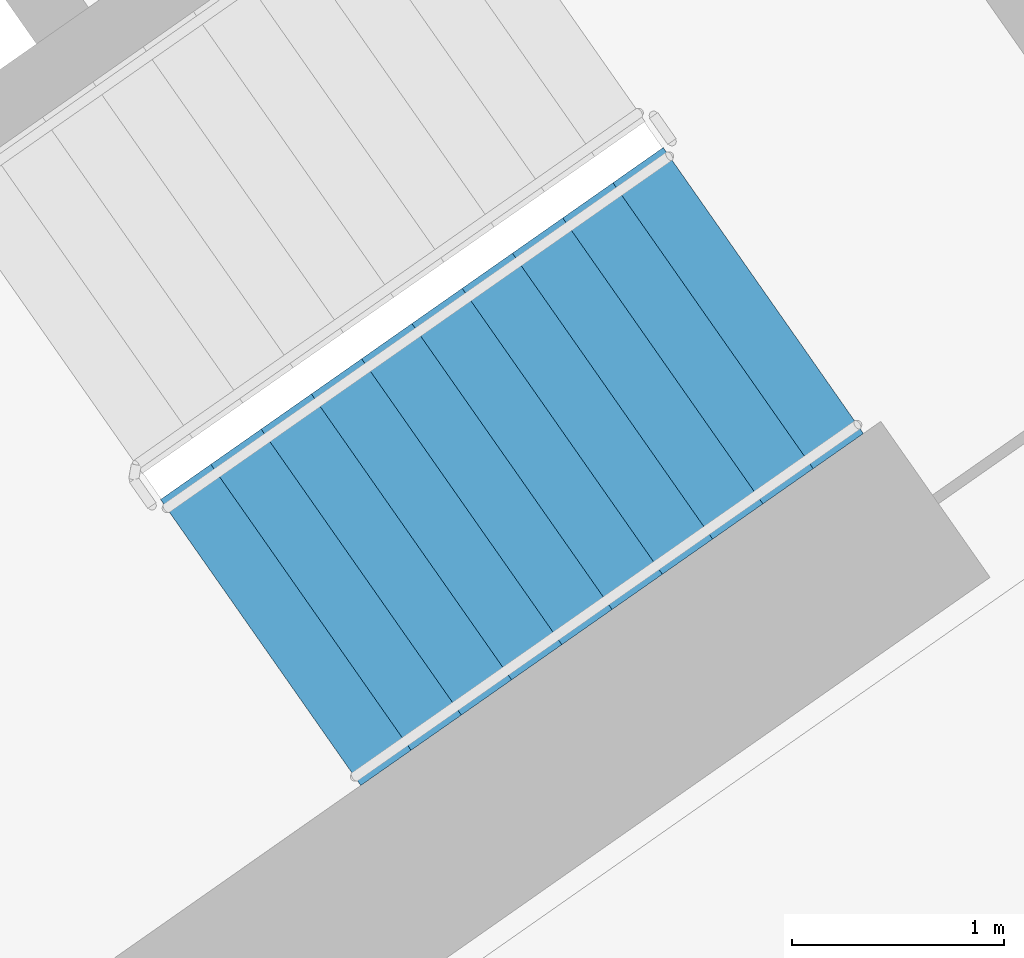
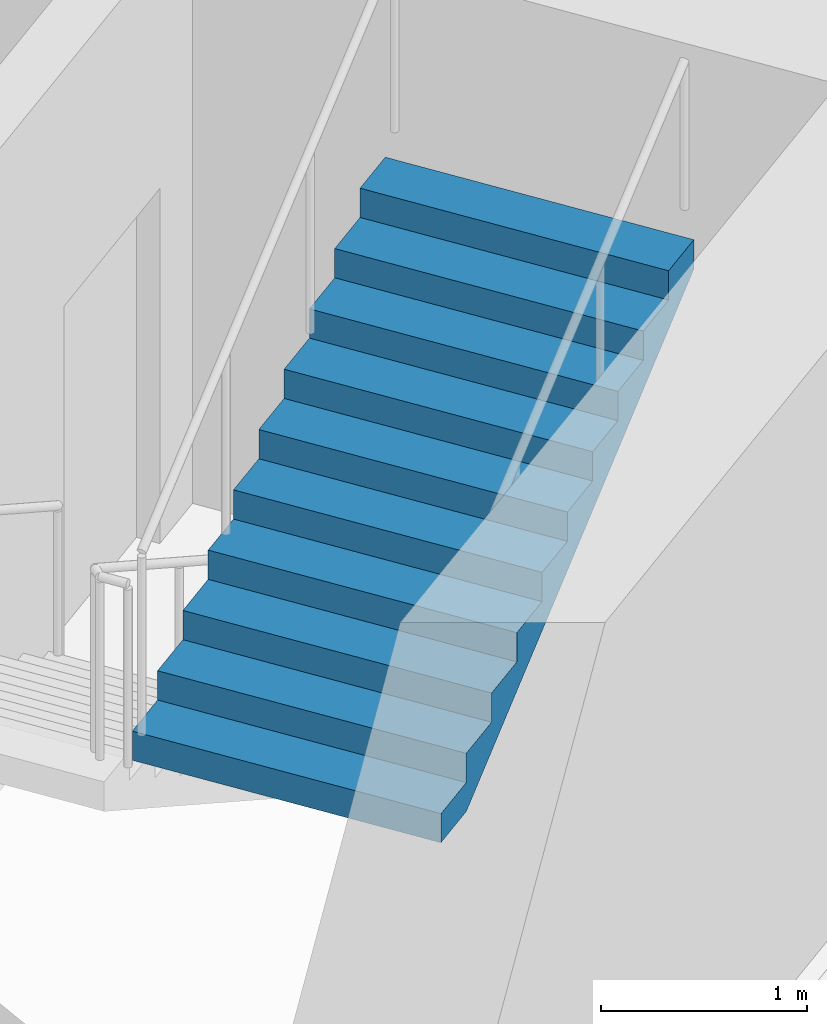
# One storey, part 17 of 31: 1 stair flight, 1 element without a shape of its own.
"""IFC4 building model written with IfcOpenShell, lengths in metres."""

from ifc_helpers import new_model, si_unit, direction, frame, origin, place, context, subcontext, project, spatial, faceted_brep, material, type_object, element, aggregate, save


model = new_model("IFC4")

# Units and contexts
model_context = context("Model", 3, precision=1e-05, world=origin(), true_north=direction((0.0, 1.0)))
body_context = subcontext(model_context, "Body", "Model", "MODEL_VIEW")
ifc_project = project(units=[si_unit("LENGTHUNIT", "METRE"), si_unit("AREAUNIT", "SQUARE_METRE"), si_unit("VOLUMEUNIT", "CUBIC_METRE"), si_unit("PLANEANGLEUNIT", "RADIAN"), si_unit("MASSUNIT", "GRAM", prefix="KILO")], contexts=[model_context])

# Site, building, storey
site_placement = place(None, origin())
site = spatial("IfcSite", under=ifc_project, at=site_placement, CompositionType="ELEMENT")
building_placement = place(site_placement, origin())
building = spatial("IfcBuilding", under=site, at=building_placement, Name="Qamariyya Broadcast Tower", CompositionType="ELEMENT")
storey_placement = place(building_placement, frame((0.0, 0.0, 74.699951171875)))
storey = spatial("IfcBuildingStorey", under=building, at=storey_placement, Name="L15", CompositionType="ELEMENT", Elevation=74.699951171875)

# Stair, stair flight
ifc_material = material(Name="Concrete C50/60", Category="concrete")
stair_type = type_object("IfcStairType", Name="Exit stair 22 risers of 173 mm", PredefinedType="HALF_TURN_STAIR", material=ifc_material)
stair_placement = place(storey_placement, origin())
stair = element("IfcStair", 1, at=stair_placement, inside=storey, type_object=stair_type, Name="L15 Stair E1", PredefinedType="HALF_TURN_STAIR")
stair_flight_type = type_object("IfcStairFlightType", Name="Exit stair flight 11 risers of 173 mm", PredefinedType="STRAIGHT", material=ifc_material)
stair_flight_placement = place(storey_placement, frame((44.693359375, -58.64599609375, 1.900146484375), z_axis=(0.0, 0.0, 1.0), x_axis=(0.819152044289, 0.573576436351, 0.0)))
stair_flight = element("IfcStairFlight", 2, at=stair_flight_placement, type_object=stair_flight_type, Name="ST-E1 flight 2", NumberOfRisers=11, NumberOfTreads=10, PredefinedType="STRAIGHT", RiserHeight=0.172727273, TreadLength=0.29, context=body_context, shape_type="Brep", body=[
    faceted_brep([(0.0, 0.824951171875, 0.0), (0.0, 0.824951171875, 0.172607421875), (0.2900390625, 0.824951171875, 0.172607421875), (0.2900390625, 0.824951171875, 0.345458984375), (0.580078125, 0.824951171875, 0.345458984375), (0.580078125, 0.824951171875, 0.51806640625), (0.8701171875, 0.824951171875, 0.51806640625), (0.8701171875, 0.824951171875, 0.69091796875), (1.159912109375, 0.824951171875, 0.69091796875), (1.159912109375, 0.824951171875, 0.863525390625), (1.449951171875, 0.824951171875, 0.863525390625), (1.449951171875, 0.824951171875, 1.036376953125), (1.739990234375, 0.824951171875, 1.036376953125), (1.739990234375, 0.824951171875, 1.208984375), (2.030029296875, 0.824951171875, 1.208984375), (2.030029296875, 0.824951171875, 1.3818359375), (2.320068359375, 0.824951171875, 1.3818359375), (2.320068359375, 0.824951171875, 1.554443359375), (2.610107421875, 0.824951171875, 1.554443359375), (2.610107421875, 0.824951171875, 1.727294921875), (2.89990234375, 0.824951171875, 1.727294921875), (2.89990234375, 0.824951171875, 1.552734375), (0.29296875, 0.824951171875, 0.0), (0.29296875, -0.824951171875, 0.0), (2.89990234375, -0.824951171875, 1.552734375), (2.89990234375, -0.824951171875, 1.727294921875), (2.610107421875, -0.824951171875, 1.727294921875), (2.610107421875, -0.824951171875, 1.554443359375), (2.320068359375, -0.824951171875, 1.554443359375), (2.320068359375, -0.824951171875, 1.3818359375), (2.030029296875, -0.824951171875, 1.3818359375), (2.030029296875, -0.824951171875, 1.208984375), (1.739990234375, -0.824951171875, 1.208984375), (1.739990234375, -0.824951171875, 1.036376953125), (1.449951171875, -0.824951171875, 1.036376953125), (1.449951171875, -0.824951171875, 0.863525390625), (1.159912109375, -0.824951171875, 0.863525390625), (1.159912109375, -0.824951171875, 0.69091796875), (0.8701171875, -0.824951171875, 0.69091796875), (0.8701171875, -0.824951171875, 0.51806640625), (0.580078125, -0.824951171875, 0.51806640625), (0.580078125, -0.824951171875, 0.345458984375), (0.2900390625, -0.824951171875, 0.345458984375), (0.2900390625, -0.824951171875, 0.172607421875), (0.0, -0.824951171875, 0.172607421875), (0.0, -0.824951171875, 0.0), (0.0, 0.10009765625, 0.0), (0.0, 0.086669921875, 0.0), (0.0, 0.0732421875, 0.0), (0.0, 0.06005859375, 0.0), (0.0, 0.046630859375, 0.0), (0.0, 0.033447265625, 0.0), (0.0, 0.02001953125, 0.0), (0.0, 0.006591796875, 0.0), (0.0, -0.006591796875, 0.0), (0.0, -0.02001953125, 0.0), (0.0, -0.033447265625, 0.0), (0.0, -0.046630859375, 0.0), (0.0, -0.06005859375, 0.0), (0.0, -0.0732421875, 0.0), (0.0, -0.086669921875, 0.0), (0.0, -0.10009765625, 0.0), (0.0, -0.10009765625, 0.172607421875), (0.0, -0.086669921875, 0.172607421875), (0.0, -0.0732421875, 0.172607421875), (0.0, -0.06005859375, 0.172607421875), (0.0, -0.046630859375, 0.172607421875), (0.0, -0.033447265625, 0.172607421875), (0.0, -0.02001953125, 0.172607421875), (0.0, -0.006591796875, 0.172607421875), (0.0, 0.006591796875, 0.172607421875), (0.0, 0.02001953125, 0.172607421875), (0.0, 0.033447265625, 0.172607421875), (0.0, 0.046630859375, 0.172607421875), (0.0, 0.06005859375, 0.172607421875), (0.0, 0.0732421875, 0.172607421875), (0.0, 0.086669921875, 0.172607421875), (0.0, 0.10009765625, 0.172607421875), (0.2900390625, -0.10009765625, 0.172607421875), (0.2900390625, -0.086669921875, 0.172607421875), (0.2900390625, -0.0732421875, 0.172607421875), (0.2900390625, -0.06005859375, 0.172607421875), (0.2900390625, -0.046630859375, 0.172607421875), (0.2900390625, -0.033447265625, 0.172607421875), (0.2900390625, -0.02001953125, 0.172607421875), (0.2900390625, -0.006591796875, 0.172607421875), (0.2900390625, 0.006591796875, 0.172607421875), (0.2900390625, 0.02001953125, 0.172607421875), (0.2900390625, 0.033447265625, 0.172607421875), (0.2900390625, 0.046630859375, 0.172607421875), (0.2900390625, 0.06005859375, 0.172607421875), (0.2900390625, 0.0732421875, 0.172607421875), (0.2900390625, 0.086669921875, 0.172607421875), (0.2900390625, 0.10009765625, 0.172607421875), (0.2900390625, -0.10009765625, 0.345458984375), (0.2900390625, -0.086669921875, 0.345458984375), (0.2900390625, -0.0732421875, 0.345458984375), (0.2900390625, -0.06005859375, 0.345458984375), (0.2900390625, -0.046630859375, 0.345458984375), (0.2900390625, -0.033447265625, 0.345458984375), (0.2900390625, -0.02001953125, 0.345458984375), (0.2900390625, -0.006591796875, 0.345458984375), (0.2900390625, 0.006591796875, 0.345458984375), (0.2900390625, 0.02001953125, 0.345458984375), (0.2900390625, 0.033447265625, 0.345458984375), (0.2900390625, 0.046630859375, 0.345458984375), (0.2900390625, 0.06005859375, 0.345458984375), (0.2900390625, 0.0732421875, 0.345458984375), (0.2900390625, 0.086669921875, 0.345458984375), (0.2900390625, 0.10009765625, 0.345458984375), (0.580078125, -0.10009765625, 0.345458984375), (0.580078125, -0.086669921875, 0.345458984375), (0.580078125, -0.0732421875, 0.345458984375), (0.580078125, -0.06005859375, 0.345458984375), (0.580078125, -0.046630859375, 0.345458984375), (0.580078125, -0.033447265625, 0.345458984375), (0.580078125, -0.02001953125, 0.345458984375), (0.580078125, -0.006591796875, 0.345458984375), (0.580078125, 0.006591796875, 0.345458984375), (0.580078125, 0.02001953125, 0.345458984375), (0.580078125, 0.033447265625, 0.345458984375), (0.580078125, 0.046630859375, 0.345458984375), (0.580078125, 0.06005859375, 0.345458984375), (0.580078125, 0.0732421875, 0.345458984375), (0.580078125, 0.086669921875, 0.345458984375), (0.580078125, 0.10009765625, 0.345458984375), (0.580078125, -0.10009765625, 0.51806640625), (0.580078125, -0.086669921875, 0.51806640625), (0.580078125, -0.0732421875, 0.51806640625), (0.580078125, -0.06005859375, 0.51806640625), (0.580078125, -0.046630859375, 0.51806640625), (0.580078125, -0.033447265625, 0.51806640625), (0.580078125, -0.02001953125, 0.51806640625), (0.580078125, -0.006591796875, 0.51806640625), (0.580078125, 0.006591796875, 0.51806640625), (0.580078125, 0.02001953125, 0.51806640625), (0.580078125, 0.033447265625, 0.51806640625), (0.580078125, 0.046630859375, 0.51806640625), (0.580078125, 0.06005859375, 0.51806640625), (0.580078125, 0.0732421875, 0.51806640625), (0.580078125, 0.086669921875, 0.51806640625), (0.580078125, 0.10009765625, 0.51806640625), (0.8701171875, -0.10009765625, 0.51806640625), (0.8701171875, -0.086669921875, 0.51806640625), (0.8701171875, -0.0732421875, 0.51806640625), (0.8701171875, -0.06005859375, 0.51806640625), (0.8701171875, -0.046630859375, 0.51806640625), (0.8701171875, -0.033447265625, 0.51806640625), (0.8701171875, -0.02001953125, 0.51806640625), (0.8701171875, -0.006591796875, 0.51806640625), (0.8701171875, 0.006591796875, 0.51806640625), (0.8701171875, 0.02001953125, 0.51806640625), (0.8701171875, 0.033447265625, 0.51806640625), (0.8701171875, 0.046630859375, 0.51806640625), (0.8701171875, 0.06005859375, 0.51806640625), (0.8701171875, 0.0732421875, 0.51806640625), (0.8701171875, 0.086669921875, 0.51806640625), (0.8701171875, 0.10009765625, 0.51806640625), (0.8701171875, -0.10009765625, 0.69091796875), (0.8701171875, -0.086669921875, 0.69091796875), (0.8701171875, -0.0732421875, 0.69091796875), (0.8701171875, -0.06005859375, 0.69091796875), (0.8701171875, -0.046630859375, 0.69091796875), (0.8701171875, -0.033447265625, 0.69091796875), (0.8701171875, -0.02001953125, 0.69091796875), (0.8701171875, -0.006591796875, 0.69091796875), (0.8701171875, 0.006591796875, 0.69091796875), (0.8701171875, 0.02001953125, 0.69091796875), (0.8701171875, 0.033447265625, 0.69091796875), (0.8701171875, 0.046630859375, 0.69091796875), (0.8701171875, 0.06005859375, 0.69091796875), (0.8701171875, 0.0732421875, 0.69091796875), (0.8701171875, 0.086669921875, 0.69091796875), (0.8701171875, 0.10009765625, 0.69091796875), (1.159912109375, -0.10009765625, 0.69091796875), (1.159912109375, -0.086669921875, 0.69091796875), (1.159912109375, -0.0732421875, 0.69091796875), (1.159912109375, -0.06005859375, 0.69091796875), (1.159912109375, -0.046630859375, 0.69091796875), (1.159912109375, -0.033447265625, 0.69091796875), (1.159912109375, -0.02001953125, 0.69091796875), (1.159912109375, -0.006591796875, 0.69091796875), (1.159912109375, 0.006591796875, 0.69091796875), (1.159912109375, 0.02001953125, 0.69091796875), (1.159912109375, 0.033447265625, 0.69091796875), (1.159912109375, 0.046630859375, 0.69091796875), (1.159912109375, 0.06005859375, 0.69091796875), (1.159912109375, 0.0732421875, 0.69091796875), (1.159912109375, 0.086669921875, 0.69091796875), (1.159912109375, 0.10009765625, 0.69091796875), (1.159912109375, -0.10009765625, 0.863525390625), (1.159912109375, -0.086669921875, 0.863525390625), (1.159912109375, -0.0732421875, 0.863525390625), (1.159912109375, -0.06005859375, 0.863525390625), (1.159912109375, -0.046630859375, 0.863525390625), (1.159912109375, -0.033447265625, 0.863525390625), (1.159912109375, -0.02001953125, 0.863525390625), (1.159912109375, -0.006591796875, 0.863525390625), (1.159912109375, 0.006591796875, 0.863525390625), (1.159912109375, 0.02001953125, 0.863525390625), (1.159912109375, 0.033447265625, 0.863525390625), (1.159912109375, 0.046630859375, 0.863525390625), (1.159912109375, 0.06005859375, 0.863525390625), (1.159912109375, 0.0732421875, 0.863525390625), (1.159912109375, 0.086669921875, 0.863525390625), (1.159912109375, 0.10009765625, 0.863525390625), (1.449951171875, -0.10009765625, 0.863525390625), (1.449951171875, -0.086669921875, 0.863525390625), (1.449951171875, -0.0732421875, 0.863525390625), (1.449951171875, -0.06005859375, 0.863525390625), (1.449951171875, -0.046630859375, 0.863525390625), (1.449951171875, -0.033447265625, 0.863525390625), (1.449951171875, -0.02001953125, 0.863525390625), (1.449951171875, -0.006591796875, 0.863525390625), (1.449951171875, 0.006591796875, 0.863525390625), (1.449951171875, 0.02001953125, 0.863525390625), (1.449951171875, 0.033447265625, 0.863525390625), (1.449951171875, 0.046630859375, 0.863525390625), (1.449951171875, 0.06005859375, 0.863525390625), (1.449951171875, 0.0732421875, 0.863525390625), (1.449951171875, 0.086669921875, 0.863525390625), (1.449951171875, 0.10009765625, 0.863525390625), (1.449951171875, -0.10009765625, 1.036376953125), (1.449951171875, -0.086669921875, 1.036376953125), (1.449951171875, -0.0732421875, 1.036376953125), (1.449951171875, -0.06005859375, 1.036376953125), (1.449951171875, -0.046630859375, 1.036376953125), (1.449951171875, -0.033447265625, 1.036376953125), (1.449951171875, -0.02001953125, 1.036376953125), (1.449951171875, -0.006591796875, 1.036376953125), (1.449951171875, 0.006591796875, 1.036376953125), (1.449951171875, 0.02001953125, 1.036376953125), (1.449951171875, 0.033447265625, 1.036376953125), (1.449951171875, 0.046630859375, 1.036376953125), (1.449951171875, 0.06005859375, 1.036376953125), (1.449951171875, 0.0732421875, 1.036376953125), (1.449951171875, 0.086669921875, 1.036376953125), (1.449951171875, 0.10009765625, 1.036376953125), (1.739990234375, -0.10009765625, 1.036376953125), (1.739990234375, -0.086669921875, 1.036376953125), (1.739990234375, -0.0732421875, 1.036376953125), (1.739990234375, -0.06005859375, 1.036376953125), (1.739990234375, -0.046630859375, 1.036376953125), (1.739990234375, -0.033447265625, 1.036376953125), (1.739990234375, -0.02001953125, 1.036376953125), (1.739990234375, -0.006591796875, 1.036376953125), (1.739990234375, 0.006591796875, 1.036376953125), (1.739990234375, 0.02001953125, 1.036376953125), (1.739990234375, 0.033447265625, 1.036376953125), (1.739990234375, 0.046630859375, 1.036376953125), (1.739990234375, 0.06005859375, 1.036376953125), (1.739990234375, 0.0732421875, 1.036376953125), (1.739990234375, 0.086669921875, 1.036376953125), (1.739990234375, 0.10009765625, 1.036376953125), (1.739990234375, -0.10009765625, 1.208984375), (1.739990234375, -0.086669921875, 1.208984375), (1.739990234375, -0.0732421875, 1.208984375), (1.739990234375, -0.06005859375, 1.208984375), (1.739990234375, -0.046630859375, 1.208984375), (1.739990234375, -0.033447265625, 1.208984375), (1.739990234375, -0.02001953125, 1.208984375), (1.739990234375, -0.006591796875, 1.208984375), (1.739990234375, 0.006591796875, 1.208984375), (1.739990234375, 0.02001953125, 1.208984375), (1.739990234375, 0.033447265625, 1.208984375), (1.739990234375, 0.046630859375, 1.208984375), (1.739990234375, 0.06005859375, 1.208984375), (1.739990234375, 0.0732421875, 1.208984375), (1.739990234375, 0.086669921875, 1.208984375), (1.739990234375, 0.10009765625, 1.208984375), (2.030029296875, -0.10009765625, 1.208984375), (2.030029296875, -0.086669921875, 1.208984375), (2.030029296875, -0.0732421875, 1.208984375), (2.030029296875, -0.06005859375, 1.208984375), (2.030029296875, -0.046630859375, 1.208984375), (2.030029296875, -0.033447265625, 1.208984375), (2.030029296875, -0.02001953125, 1.208984375), (2.030029296875, -0.006591796875, 1.208984375), (2.030029296875, 0.006591796875, 1.208984375), (2.030029296875, 0.02001953125, 1.208984375), (2.030029296875, 0.033447265625, 1.208984375), (2.030029296875, 0.046630859375, 1.208984375), (2.030029296875, 0.06005859375, 1.208984375), (2.030029296875, 0.0732421875, 1.208984375), (2.030029296875, 0.086669921875, 1.208984375), (2.030029296875, 0.10009765625, 1.208984375), (2.030029296875, -0.10009765625, 1.3818359375), (2.030029296875, -0.086669921875, 1.3818359375), (2.030029296875, -0.0732421875, 1.3818359375), (2.030029296875, -0.06005859375, 1.3818359375), (2.030029296875, -0.046630859375, 1.3818359375), (2.030029296875, -0.033447265625, 1.3818359375), (2.030029296875, -0.02001953125, 1.3818359375), (2.030029296875, -0.006591796875, 1.3818359375), (2.030029296875, 0.006591796875, 1.3818359375), (2.030029296875, 0.02001953125, 1.3818359375), (2.030029296875, 0.033447265625, 1.3818359375), (2.030029296875, 0.046630859375, 1.3818359375), (2.030029296875, 0.06005859375, 1.3818359375), (2.030029296875, 0.0732421875, 1.3818359375), (2.030029296875, 0.086669921875, 1.3818359375), (2.030029296875, 0.10009765625, 1.3818359375), (2.320068359375, -0.10009765625, 1.3818359375), (2.320068359375, -0.086669921875, 1.3818359375), (2.320068359375, -0.0732421875, 1.3818359375), (2.320068359375, -0.06005859375, 1.3818359375), (2.320068359375, -0.046630859375, 1.3818359375), (2.320068359375, -0.033447265625, 1.3818359375), (2.320068359375, -0.02001953125, 1.3818359375), (2.320068359375, -0.006591796875, 1.3818359375), (2.320068359375, 0.006591796875, 1.3818359375), (2.320068359375, 0.02001953125, 1.3818359375), (2.320068359375, 0.033447265625, 1.3818359375), (2.320068359375, 0.046630859375, 1.3818359375), (2.320068359375, 0.06005859375, 1.3818359375), (2.320068359375, 0.0732421875, 1.3818359375), (2.320068359375, 0.086669921875, 1.3818359375), (2.320068359375, 0.10009765625, 1.3818359375), (2.320068359375, -0.10009765625, 1.554443359375), (2.320068359375, -0.086669921875, 1.554443359375), (2.320068359375, -0.0732421875, 1.554443359375), (2.320068359375, -0.06005859375, 1.554443359375), (2.320068359375, -0.046630859375, 1.554443359375), (2.320068359375, -0.033447265625, 1.554443359375), (2.320068359375, -0.02001953125, 1.554443359375), (2.320068359375, -0.006591796875, 1.554443359375), (2.320068359375, 0.006591796875, 1.554443359375), (2.320068359375, 0.02001953125, 1.554443359375), (2.320068359375, 0.033447265625, 1.554443359375), (2.320068359375, 0.046630859375, 1.554443359375), (2.320068359375, 0.06005859375, 1.554443359375), (2.320068359375, 0.0732421875, 1.554443359375), (2.320068359375, 0.086669921875, 1.554443359375), (2.320068359375, 0.10009765625, 1.554443359375), (2.610107421875, -0.10009765625, 1.554443359375), (2.610107421875, -0.086669921875, 1.554443359375), (2.610107421875, -0.0732421875, 1.554443359375), (2.610107421875, -0.06005859375, 1.554443359375), (2.610107421875, -0.046630859375, 1.554443359375), (2.610107421875, -0.033447265625, 1.554443359375), (2.610107421875, -0.02001953125, 1.554443359375), (2.610107421875, -0.006591796875, 1.554443359375), (2.610107421875, 0.006591796875, 1.554443359375), (2.610107421875, 0.02001953125, 1.554443359375), (2.610107421875, 0.033447265625, 1.554443359375), (2.610107421875, 0.046630859375, 1.554443359375), (2.610107421875, 0.06005859375, 1.554443359375), (2.610107421875, 0.0732421875, 1.554443359375), (2.610107421875, 0.086669921875, 1.554443359375), (2.610107421875, 0.10009765625, 1.554443359375), (2.610107421875, -0.10009765625, 1.727294921875), (2.610107421875, -0.086669921875, 1.727294921875), (2.610107421875, -0.0732421875, 1.727294921875), (2.610107421875, -0.06005859375, 1.727294921875), (2.610107421875, -0.046630859375, 1.727294921875), (2.610107421875, -0.033447265625, 1.727294921875), (2.610107421875, -0.02001953125, 1.727294921875), (2.610107421875, -0.006591796875, 1.727294921875), (2.610107421875, 0.006591796875, 1.727294921875), (2.610107421875, 0.02001953125, 1.727294921875), (2.610107421875, 0.033447265625, 1.727294921875), (2.610107421875, 0.046630859375, 1.727294921875), (2.610107421875, 0.06005859375, 1.727294921875), (2.610107421875, 0.0732421875, 1.727294921875), (2.610107421875, 0.086669921875, 1.727294921875), (2.610107421875, 0.10009765625, 1.727294921875), (2.89990234375, -0.10009765625, 1.727294921875), (2.89990234375, -0.086669921875, 1.727294921875), (2.89990234375, -0.0732421875, 1.727294921875), (2.89990234375, -0.06005859375, 1.727294921875), (2.89990234375, -0.046630859375, 1.727294921875), (2.89990234375, -0.033447265625, 1.727294921875), (2.89990234375, -0.02001953125, 1.727294921875), (2.89990234375, -0.006591796875, 1.727294921875), (2.89990234375, 0.006591796875, 1.727294921875), (2.89990234375, 0.02001953125, 1.727294921875), (2.89990234375, 0.033447265625, 1.727294921875), (2.89990234375, 0.046630859375, 1.727294921875), (2.89990234375, 0.06005859375, 1.727294921875), (2.89990234375, 0.0732421875, 1.727294921875), (2.89990234375, 0.086669921875, 1.727294921875), (2.89990234375, 0.10009765625, 1.727294921875), (2.89990234375, -0.10009765625, 1.552734375), (2.89990234375, -0.086669921875, 1.552734375), (2.89990234375, -0.0732421875, 1.552734375), (2.89990234375, -0.06005859375, 1.552734375), (2.89990234375, -0.046630859375, 1.552734375), (2.89990234375, -0.033447265625, 1.552734375), (2.89990234375, -0.02001953125, 1.552734375), (2.89990234375, -0.006591796875, 1.552734375), (2.89990234375, 0.006591796875, 1.552734375), (2.89990234375, 0.02001953125, 1.552734375), (2.89990234375, 0.033447265625, 1.552734375), (2.89990234375, 0.046630859375, 1.552734375), (2.89990234375, 0.06005859375, 1.552734375), (2.89990234375, 0.0732421875, 1.552734375), (2.89990234375, 0.086669921875, 1.552734375), (2.89990234375, 0.10009765625, 1.552734375), (0.29296875, -0.10009765625, 0.0), (0.29296875, -0.086669921875, 0.0), (0.29296875, -0.0732421875, 0.0), (0.29296875, -0.06005859375, 0.0), (0.29296875, -0.046630859375, 0.0), (0.29296875, -0.033447265625, 0.0), (0.29296875, -0.02001953125, 0.0), (0.29296875, -0.006591796875, 0.0), (0.29296875, 0.006591796875, 0.0), (0.29296875, 0.02001953125, 0.0), (0.29296875, 0.033447265625, 0.0), (0.29296875, 0.046630859375, 0.0), (0.29296875, 0.06005859375, 0.0), (0.29296875, 0.0732421875, 0.0), (0.29296875, 0.086669921875, 0.0), (0.29296875, 0.10009765625, 0.0)], [[[0, 1, 2, 3, 4, 5, 6, 7, 8, 9, 10, 11, 12, 13, 14, 15, 16, 17, 18, 19, 20, 21, 22]], [[23, 24, 25, 26, 27, 28, 29, 30, 31, 32, 33, 34, 35, 36, 37, 38, 39, 40, 41, 42, 43, 44, 45]], [[0, 46, 47, 48, 49, 50, 51, 52, 53, 54, 55, 56, 57, 58, 59, 60, 61, 45, 44, 62, 63, 64, 65, 66, 67, 68, 69, 70, 71, 72, 73, 74, 75, 76, 77, 1]], [[1, 77, 76, 75, 74, 73, 72, 71, 70, 69, 68, 67, 66, 65, 64, 63, 62, 44, 43, 78, 79, 80, 81, 82, 83, 84, 85, 86, 87, 88, 89, 90, 91, 92, 93, 2]], [[2, 93, 92, 91, 90, 89, 88, 87, 86, 85, 84, 83, 82, 81, 80, 79, 78, 43, 42, 94, 95, 96, 97, 98, 99, 100, 101, 102, 103, 104, 105, 106, 107, 108, 109, 3]], [[3, 109, 108, 107, 106, 105, 104, 103, 102, 101, 100, 99, 98, 97, 96, 95, 94, 42, 41, 110, 111, 112, 113, 114, 115, 116, 117, 118, 119, 120, 121, 122, 123, 124, 125, 4]], [[4, 125, 124, 123, 122, 121, 120, 119, 118, 117, 116, 115, 114, 113, 112, 111, 110, 41, 40, 126, 127, 128, 129, 130, 131, 132, 133, 134, 135, 136, 137, 138, 139, 140, 141, 5]], [[5, 141, 140, 139, 138, 137, 136, 135, 134, 133, 132, 131, 130, 129, 128, 127, 126, 40, 39, 142, 143, 144, 145, 146, 147, 148, 149, 150, 151, 152, 153, 154, 155, 156, 157, 6]], [[6, 157, 156, 155, 154, 153, 152, 151, 150, 149, 148, 147, 146, 145, 144, 143, 142, 39, 38, 158, 159, 160, 161, 162, 163, 164, 165, 166, 167, 168, 169, 170, 171, 172, 173, 7]], [[7, 173, 172, 171, 170, 169, 168, 167, 166, 165, 164, 163, 162, 161, 160, 159, 158, 38, 37, 174, 175, 176, 177, 178, 179, 180, 181, 182, 183, 184, 185, 186, 187, 188, 189, 8]], [[8, 189, 188, 187, 186, 185, 184, 183, 182, 181, 180, 179, 178, 177, 176, 175, 174, 37, 36, 190, 191, 192, 193, 194, 195, 196, 197, 198, 199, 200, 201, 202, 203, 204, 205, 9]], [[9, 205, 204, 203, 202, 201, 200, 199, 198, 197, 196, 195, 194, 193, 192, 191, 190, 36, 35, 206, 207, 208, 209, 210, 211, 212, 213, 214, 215, 216, 217, 218, 219, 220, 221, 10]], [[10, 221, 220, 219, 218, 217, 216, 215, 214, 213, 212, 211, 210, 209, 208, 207, 206, 35, 34, 222, 223, 224, 225, 226, 227, 228, 229, 230, 231, 232, 233, 234, 235, 236, 237, 11]], [[11, 237, 236, 235, 234, 233, 232, 231, 230, 229, 228, 227, 226, 225, 224, 223, 222, 34, 33, 238, 239, 240, 241, 242, 243, 244, 245, 246, 247, 248, 249, 250, 251, 252, 253, 12]], [[12, 253, 252, 251, 250, 249, 248, 247, 246, 245, 244, 243, 242, 241, 240, 239, 238, 33, 32, 254, 255, 256, 257, 258, 259, 260, 261, 262, 263, 264, 265, 266, 267, 268, 269, 13]], [[13, 269, 268, 267, 266, 265, 264, 263, 262, 261, 260, 259, 258, 257, 256, 255, 254, 32, 31, 270, 271, 272, 273, 274, 275, 276, 277, 278, 279, 280, 281, 282, 283, 284, 285, 14]], [[14, 285, 284, 283, 282, 281, 280, 279, 278, 277, 276, 275, 274, 273, 272, 271, 270, 31, 30, 286, 287, 288, 289, 290, 291, 292, 293, 294, 295, 296, 297, 298, 299, 300, 301, 15]], [[15, 301, 300, 299, 298, 297, 296, 295, 294, 293, 292, 291, 290, 289, 288, 287, 286, 30, 29, 302, 303, 304, 305, 306, 307, 308, 309, 310, 311, 312, 313, 314, 315, 316, 317, 16]], [[16, 317, 316, 315, 314, 313, 312, 311, 310, 309, 308, 307, 306, 305, 304, 303, 302, 29, 28, 318, 319, 320, 321, 322, 323, 324, 325, 326, 327, 328, 329, 330, 331, 332, 333, 17]], [[17, 333, 332, 331, 330, 329, 328, 327, 326, 325, 324, 323, 322, 321, 320, 319, 318, 28, 27, 334, 335, 336, 337, 338, 339, 340, 341, 342, 343, 344, 345, 346, 347, 348, 349, 18]], [[18, 349, 348, 347, 346, 345, 344, 343, 342, 341, 340, 339, 338, 337, 336, 335, 334, 27, 26, 350, 351, 352, 353, 354, 355, 356, 357, 358, 359, 360, 361, 362, 363, 364, 365, 19]], [[19, 365, 364, 363, 362, 361, 360, 359, 358, 357, 356, 355, 354, 353, 352, 351, 350, 26, 25, 366, 367, 368, 369, 370, 371, 372, 373, 374, 375, 376, 377, 378, 379, 380, 381, 20]], [[20, 381, 380, 379, 378, 377, 376, 375, 374, 373, 372, 371, 370, 369, 368, 367, 366, 25, 24, 382, 383, 384, 385, 386, 387, 388, 389, 390, 391, 392, 393, 394, 395, 396, 397, 21]], [[21, 397, 396, 395, 394, 393, 392, 391, 390, 389, 388, 387, 386, 385, 384, 383, 382, 24, 23, 398, 399, 400, 401, 402, 403, 404, 405, 406, 407, 408, 409, 410, 411, 412, 413, 22]], [[22, 413, 412, 411, 410, 409, 408, 407, 406, 405, 404, 403, 402, 401, 400, 399, 398, 23, 45, 61, 60, 59, 58, 57, 56, 55, 54, 53, 52, 51, 50, 49, 48, 47, 46, 0]]]),
])
aggregate(stair, [stair_flight])

save(model, "model.ifc")
